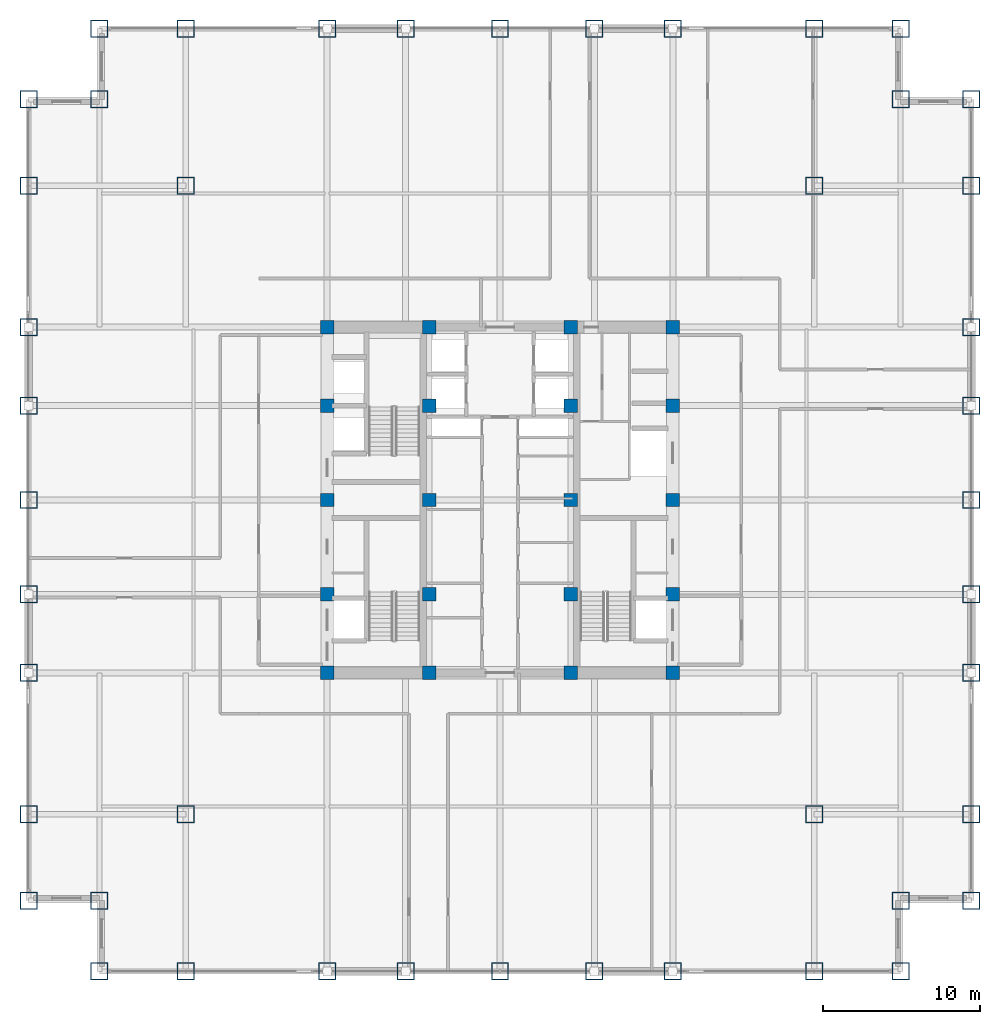
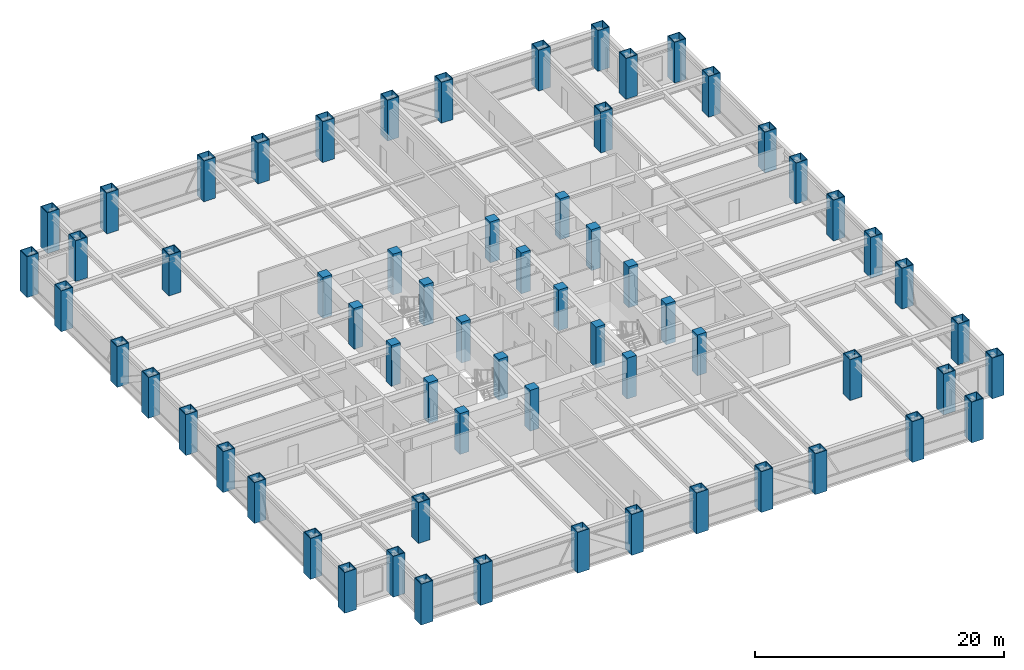
# One storey, part 1 of 24: 64 columns.
"""IFC4 building model written with IfcOpenShell, lengths in metres."""

from ifc_helpers import new_model, si_unit, direction, frame, origin, origin_2d, place, context, subcontext, project, spatial, rectangle, hollow_rectangle, extrude, source, transform, mapped, material, material_profile, profile_set, type_object, element, save


model = new_model("IFC4")

# Units and contexts
model_context = context("Model", 3, precision=1e-05, world=origin(), true_north=direction((0.0, 1.0)))
body_context = subcontext(model_context, "Body", "Model", "MODEL_VIEW")
ifc_project = project(units=[si_unit("LENGTHUNIT", "METRE"), si_unit("AREAUNIT", "SQUARE_METRE"), si_unit("VOLUMEUNIT", "CUBIC_METRE"), si_unit("PLANEANGLEUNIT", "RADIAN"), si_unit("MASSUNIT", "GRAM", prefix="KILO")], contexts=[model_context])

# Site, building, storey
site_placement = place(None, origin())
site = spatial("IfcSite", under=ifc_project, at=site_placement, CompositionType="ELEMENT")
building_placement = place(site_placement, origin())
building = spatial("IfcBuilding", under=site, at=building_placement, Name="Khorayat Bourse Tower", CompositionType="ELEMENT")
storey_placement = place(building_placement, frame((0.0, 0.0, 159.10009765625)))
storey = spatial("IfcBuildingStorey", under=building, at=storey_placement, Name="L36", CompositionType="ELEMENT", Elevation=159.10009765625)

# Columns
ifc_material_1 = material(Name="Steel EN 10025-4 S460M", Category="steel")
ifc_material_profile_1 = material_profile(ifc_material_1, hollow_rectangle(XDim=1.10009765625, YDim=1.10009765625, WallThickness=0.06005859375, at=origin_2d()), Name="BOX 1100x1100x60")
ifc_profile_set_1 = profile_set([ifc_material_profile_1], Name="Steel EN 10025-4 S460M")
column_type_1 = type_object("IfcColumnType", Name="COL-TUBE-1100", PredefinedType="COLUMN", material=ifc_profile_set_1)
shared_shape_1 = source(origin(), body_context, "Body", "SweptSolid", [
    extrude(hollow_rectangle(XDim=1.10009765625, YDim=1.10009765625, WallThickness=0.06005859375, at=origin_2d()), origin(), (0.0, 0.0, 1.0), 4.0),
])
for number, where, z_axis, x_axis, name in (
    (1, (-30.0, -25.5, 0.0), (0.0, 0.0, 1.0), (1.0, 0.0, 0.0), "L36 Column 001"),
    (2, (-30.0, -20.0, 0.0), (0.0, 0.0, 1.0), (1.0, 0.0, 0.0), "L36 Column 002"),
    (3, (-30.0, -11.0, 0.0), (0.0, 0.0, 1.0), (1.0, 0.0, 0.0), "L36 Column 003"),
    (4, (-30.0, -6.0, 0.0), (0.0, 0.0, 1.0), (1.0, 0.0, 0.0), "L36 Column 004"),
    (5, (-30.0, 0.0, 0.0), (0.0, 0.0, 1.0), (1.0, 0.0, 0.0), "L36 Column 005"),
    (6, (-30.0, 6.0, 0.0), (0.0, 0.0, 1.0), (1.0, 0.0, 0.0), "L36 Column 006"),
    (7, (-30.0, 11.0, 0.0), (0.0, 0.0, 1.0), (1.0, 0.0, 0.0), "L36 Column 007"),
    (8, (-30.0, 20.0, 0.0), (0.0, 0.0, 1.0), (1.0, 0.0, 0.0), "L36 Column 008"),
    (9, (-30.0, 25.5, 0.0), (0.0, 0.0, 1.0), (1.0, 0.0, 0.0), "L36 Column 009"),
    (10, (-25.5, -30.0, 0.0), (0.0, 0.0, 1.0), (1.0, 0.0, 0.0), "L36 Column 010"),
    (11, (-25.5, -25.5, 0.0), (0.0, 0.0, 1.0), (1.0, 0.0, 0.0), "L36 Column 011"),
    (12, (-25.5, 25.5, 0.0), (0.0, 0.0, 1.0), (1.0, 0.0, 0.0), "L36 Column 012"),
    (13, (-25.5, 30.0, 0.0), (0.0, 0.0, 1.0), (1.0, 0.0, 0.0), "L36 Column 013"),
    (14, (-20.0, -30.0, 0.0), (0.0, 0.0, 1.0), (1.0, 0.0, 0.0), "L36 Column 014"),
    (15, (-20.0, -20.0, 0.0), (0.0, 0.0, 1.0), (1.0, 0.0, 0.0), "L36 Column 015"),
    (16, (-20.0, 20.0, 0.0), (0.0, 0.0, 1.0), (1.0, 0.0, 0.0), "L36 Column 016"),
    (17, (-20.0, 30.0, 0.0), (0.0, 0.0, 1.0), (1.0, 0.0, 0.0), "L36 Column 017"),
    (18, (-11.0, -30.0, 0.0), (0.0, 0.0, 1.0), (1.0, 0.0, 0.0), "L36 Column 018"),
    (19, (-11.0, 30.0, 0.0), (0.0, 0.0, 1.0), (1.0, 0.0, 0.0), "L36 Column 024"),
    (20, (-6.0, -30.0, 0.0), (0.0, 0.0, 1.0), (1.0, 0.0, 0.0), "L36 Column 025"),
    (21, (-6.0, 30.0, 0.0), (0.0, 0.0, 1.0), (1.0, 0.0, 0.0), "L36 Column 026"),
    (22, (0.0, -30.0, 0.0), (0.0, 0.0, 1.0), (1.0, 0.0, 0.0), "L36 Column 032"),
    (23, (0.0, 30.0, 0.0), (0.0, 0.0, 1.0), (1.0, 0.0, 0.0), "L36 Column 033"),
    (24, (6.0, -30.0, 0.0), (0.0, 0.0, 1.0), (1.0, 0.0, 0.0), "L36 Column 039"),
    (25, (6.0, 30.0, 0.0), (0.0, 0.0, 1.0), (1.0, 0.0, 0.0), "L36 Column 040"),
    (26, (11.0, -30.0, 0.0), (0.0, 0.0, 1.0), (1.0, 0.0, 0.0), "L36 Column 041"),
    (27, (11.0, 30.0, 0.0), (0.0, 0.0, 1.0), (1.0, 0.0, 0.0), "L36 Column 047"),
    (28, (20.0, -30.0, 0.0), (0.0, 0.0, 1.0), (1.0, 0.0, 0.0), "L36 Column 048"),
    (29, (20.0, -20.0, 0.0), (0.0, 0.0, 1.0), (1.0, 0.0, 0.0), "L36 Column 049"),
    (30, (20.0, 20.0, 0.0), (0.0, 0.0, 1.0), (1.0, 0.0, 0.0), "L36 Column 050"),
    (31, (20.0, 30.0, 0.0), (0.0, 0.0, 1.0), (1.0, 0.0, 0.0), "L36 Column 051"),
    (32, (25.5, -30.0, 0.0), (0.0, 0.0, 1.0), (1.0, 0.0, 0.0), "L36 Column 052"),
    (33, (25.5, -25.5, 0.0), (0.0, 0.0, 1.0), (1.0, 0.0, 0.0), "L36 Column 053"),
    (34, (25.5, 25.5, 0.0), (0.0, 0.0, 1.0), (1.0, 0.0, 0.0), "L36 Column 054"),
    (35, (25.5, 30.0, 0.0), (0.0, 0.0, 1.0), (1.0, 0.0, 0.0), "L36 Column 055"),
    (36, (30.0, -25.5, 0.0), (0.0, 0.0, 1.0), (1.0, 0.0, 0.0), "L36 Column 056"),
    (37, (30.0, -20.0, 0.0), (0.0, 0.0, 1.0), (1.0, 0.0, 0.0), "L36 Column 057"),
    (38, (30.0, -11.0, 0.0), (0.0, 0.0, 1.0), (1.0, 0.0, 0.0), "L36 Column 058"),
    (39, (30.0, -6.0, 0.0), (0.0, 0.0, 1.0), (1.0, 0.0, 0.0), "L36 Column 059"),
    (40, (30.0, 0.0, 0.0), (0.0, 0.0, 1.0), (1.0, 0.0, 0.0), "L36 Column 060"),
    (41, (30.0, 6.0, 0.0), (0.0, 0.0, 1.0), (1.0, 0.0, 0.0), "L36 Column 061"),
    (42, (30.0, 11.0, 0.0), (0.0, 0.0, 1.0), (1.0, 0.0, 0.0), "L36 Column 062"),
    (43, (30.0, 20.0, 0.0), (0.0, 0.0, 1.0), (1.0, 0.0, 0.0), "L36 Column 063"),
    (44, (30.0, 25.5, 0.0), (0.0, 0.0, 1.0), (1.0, 0.0, 0.0), "L36 Column 064"),
):
    element("IfcColumn", number, at=place(storey_placement, frame(where, z_axis=z_axis, x_axis=x_axis)), inside=storey, type_object=column_type_1, Name=name, PredefinedType="COLUMN", context=body_context, shape_type="MappedRepresentation", body=[
        mapped(shared_shape_1, transform((0.0, 0.0, 0.0), scale=1.0)),
    ])
ifc_material_2 = material(Name="Concrete C60/75", Category="concrete")
ifc_material_profile_2 = material_profile(ifc_material_2, rectangle(XDim=0.85009765625, YDim=0.85009765625, at=origin_2d()), Name="RC 850x850")
ifc_profile_set_2 = profile_set([ifc_material_profile_2], Name="Concrete C60/75")
column_type_2 = type_object("IfcColumnType", Name="COL-CORE-850", PredefinedType="COLUMN", material=ifc_profile_set_2)
shared_shape_2 = source(origin(), body_context, "Body", "SweptSolid", [
    extrude(rectangle(XDim=0.85009765625, YDim=0.85009765625, at=origin_2d()), origin(), (0.0, 0.0, 1.0), 4.0),
])
for number, where, z_axis, x_axis, name in (
    (45, (-11.0, -11.0, 0.0), (0.0, 0.0, 1.0), (1.0, 0.0, 0.0), "L36 Column 019"),
    (46, (-11.0, -6.0, 0.0), (0.0, 0.0, 1.0), (1.0, 0.0, 0.0), "L36 Column 020"),
    (47, (-11.0, 0.0, 0.0), (0.0, 0.0, 1.0), (1.0, 0.0, 0.0), "L36 Column 021"),
    (48, (-11.0, 6.0, 0.0), (0.0, 0.0, 1.0), (1.0, 0.0, 0.0), "L36 Column 022"),
    (49, (-11.0, 11.0, 0.0), (0.0, 0.0, 1.0), (1.0, 0.0, 0.0), "L36 Column 023"),
    (50, (-4.5, -11.0, 0.0), (0.0, 0.0, 1.0), (1.0, 0.0, 0.0), "L36 Column 027"),
    (51, (-4.5, -6.0, 0.0), (0.0, 0.0, 1.0), (1.0, 0.0, 0.0), "L36 Column 028"),
    (52, (-4.5, 0.0, 0.0), (0.0, 0.0, 1.0), (1.0, 0.0, 0.0), "L36 Column 029"),
    (53, (-4.5, 6.0, 0.0), (0.0, 0.0, 1.0), (1.0, 0.0, 0.0), "L36 Column 030"),
    (54, (-4.5, 11.0, 0.0), (0.0, 0.0, 1.0), (1.0, 0.0, 0.0), "L36 Column 031"),
    (55, (4.5, -11.0, 0.0), (0.0, 0.0, 1.0), (1.0, 0.0, 0.0), "L36 Column 034"),
    (56, (4.5, -6.0, 0.0), (0.0, 0.0, 1.0), (1.0, 0.0, 0.0), "L36 Column 035"),
    (57, (4.5, 0.0, 0.0), (0.0, 0.0, 1.0), (1.0, 0.0, 0.0), "L36 Column 036"),
    (58, (4.5, 6.0, 0.0), (0.0, 0.0, 1.0), (1.0, 0.0, 0.0), "L36 Column 037"),
    (59, (4.5, 11.0, 0.0), (0.0, 0.0, 1.0), (1.0, 0.0, 0.0), "L36 Column 038"),
    (60, (11.0, -11.0, 0.0), (0.0, 0.0, 1.0), (1.0, 0.0, 0.0), "L36 Column 042"),
    (61, (11.0, -6.0, 0.0), (0.0, 0.0, 1.0), (1.0, 0.0, 0.0), "L36 Column 043"),
    (62, (11.0, 0.0, 0.0), (0.0, 0.0, 1.0), (1.0, 0.0, 0.0), "L36 Column 044"),
    (63, (11.0, 6.0, 0.0), (0.0, 0.0, 1.0), (1.0, 0.0, 0.0), "L36 Column 045"),
    (64, (11.0, 11.0, 0.0), (0.0, 0.0, 1.0), (1.0, 0.0, 0.0), "L36 Column 046"),
):
    element("IfcColumn", number, at=place(storey_placement, frame(where, z_axis=z_axis, x_axis=x_axis)), inside=storey, type_object=column_type_2, Name=name, PredefinedType="COLUMN", context=body_context, shape_type="MappedRepresentation", body=[
        mapped(shared_shape_2, transform((0.0, 0.0, 0.0), scale=1.0)),
    ])

save(model, "model.ifc")
